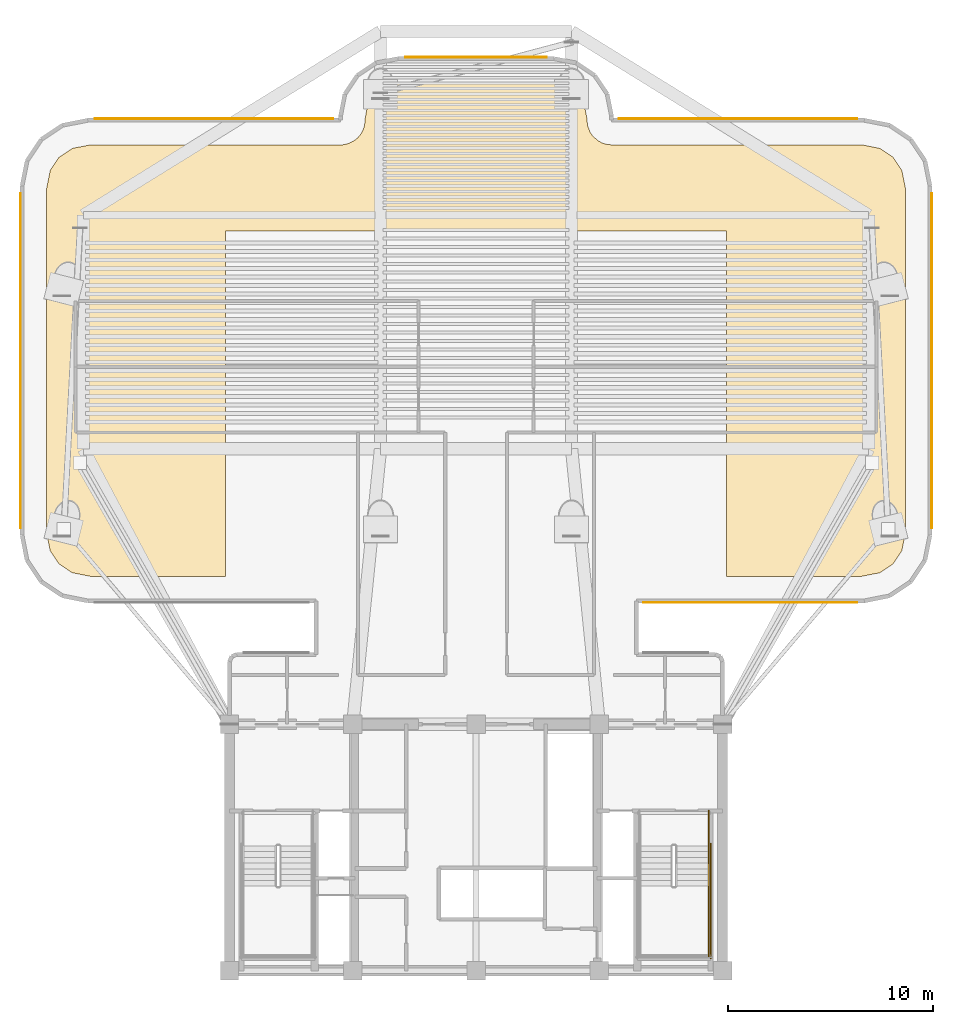
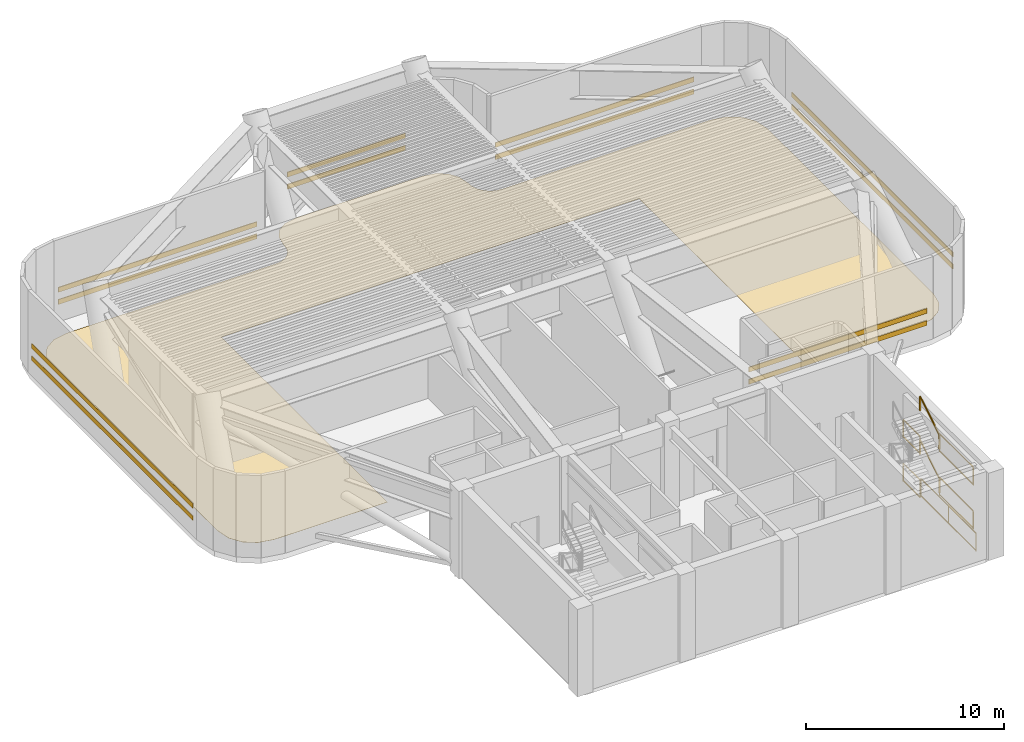
# One storey, part 10 of 10: 12 shading devices, 7 railings, 1 covering.
"""IFC4 building model written with IfcOpenShell, lengths in metres."""

from ifc_helpers import new_model, si_unit, direction, frame, origin, origin_2d, place, context, subcontext, project, spatial, polyline, rectangle, outline, extrude, source, transform, mapped, material, layer, layer_set, material_profile, profile_set, type_object, element, save


model = new_model("IFC4")

# Units and contexts
model_context = context("Model", 3, precision=1e-05, world=origin(), true_north=direction((0.0, 1.0)))
body_context = subcontext(model_context, "Body", "Model", "MODEL_VIEW")
ifc_project = project(units=[si_unit("LENGTHUNIT", "METRE"), si_unit("AREAUNIT", "SQUARE_METRE"), si_unit("VOLUMEUNIT", "CUBIC_METRE"), si_unit("PLANEANGLEUNIT", "RADIAN"), si_unit("MASSUNIT", "GRAM", prefix="KILO")], contexts=[model_context])

# Site, building, storey
site_placement = place(None, origin())
site = spatial("IfcSite", under=ifc_project, at=site_placement, CompositionType="ELEMENT")
building_placement = place(site_placement, origin())
building = spatial("IfcBuilding", under=site, at=building_placement, Name="Brelvock Crest Care Tower", CompositionType="ELEMENT")
storey_placement = place(building_placement, frame((0.0, 0.0, 146.52001953125)))
storey = spatial("IfcBuildingStorey", under=building, at=storey_placement, Name="L37", CompositionType="ELEMENT", Elevation=146.52001953125)

# Covering
ifc_material_1 = material(Name="Elastomeric Waterproofing Membrane", Category="membrane")
ifc_layer_1 = layer(ifc_material_1, 0.011962890625, Name="COV-RFM1")
ifc_layer_set_1 = layer_set([ifc_layer_1], Name="Elastomeric Waterproofing Membrane")
covering_type = type_object("IfcCoveringType", Name="COV-RFM1", PredefinedType="MEMBRANE", material=ifc_layer_set_1)
covering_placement = place(storey_placement, frame((0.0, 0.0, 0.015869140625)))
element("IfcCovering", 1, at=covering_placement, inside=storey, type_object=covering_type, Name="L37 Waterproofing Membrane 1", PredefinedType="MEMBRANE", context=body_context, shape_type="SweptSolid", body=[
    extrude(outline(polyline([(23.800048828125, 25.199951171875), (23.800048828125, 42.0), (48.199951171875, 42.0), (48.199951171875, 25.199951171875), (54.78173828125, 25.199951171875), (55.656494140625, 25.3740234375), (56.297607421875, 25.802490234375), (56.72607421875, 26.443603515625), (56.89990234375, 27.318115234375), (56.89990234375, 44.081787109375), (56.72607421875, 44.956298828125), (56.297607421875, 45.59765625), (55.656494140625, 46.02587890625), (54.78173828125, 46.199951171875), (42.60009765625, 46.199951171875), (42.365966796875, 46.22314453125), (42.140869140625, 46.291259765625), (41.933349609375, 46.402099609375), (41.67236328125, 46.638671875), (41.541748046875, 46.834228515625), (41.423095703125, 47.166015625), (41.39990234375, 47.481689453125), (41.256591796875, 48.203369140625), (40.914794921875, 48.71484375), (40.4033203125, 49.056396484375), (39.681884765625, 49.199951171875), (32.318115234375, 49.199951171875), (31.5966796875, 49.056396484375), (31.085205078125, 48.71484375), (30.743408203125, 48.203369140625), (30.60009765625, 47.481689453125), (30.576904296875, 47.166015625), (30.5087890625, 46.94091796875), (30.397705078125, 46.7333984375), (30.24853515625, 46.551513671875), (30.066650390625, 46.402099609375), (29.748291015625, 46.251708984375), (29.517578125, 46.205810546875), (17.21826171875, 46.199951171875), (16.343505859375, 46.02587890625), (15.702392578125, 45.59765625), (15.27392578125, 44.956298828125), (15.10009765625, 44.081787109375), (15.10009765625, 27.318115234375), (15.27392578125, 26.443603515625), (15.702392578125, 25.802490234375), (16.343505859375, 25.3740234375), (17.21826171875, 25.199951171875), (23.800048828125, 25.199951171875)])), origin(), (0.0, 0.0, 1.0), 0.01220703125),
])

# Railings
ifc_material_2 = material(Name="Steel Grade 350", Category="steel")
ifc_layer_2 = layer(ifc_material_2, 0.050048828125, Name="RL-STG1")
ifc_layer_set_2 = layer_set([ifc_layer_2], Name="Steel Grade 350")
railing_type_1 = type_object("IfcRailingType", Name="RL-STG1", PredefinedType="GUARDRAIL", material=ifc_layer_set_2)
railing_1_placement = place(storey_placement, frame((47.320068359375, 10.1201171875, 1.35009765625)))
element("IfcRailing", 2, at=railing_1_placement, inside=storey, type_object=railing_type_1, Name="L37 ST-2 stair guard 4", PredefinedType="GUARDRAIL", context=body_context, shape_type="SweptSolid", body=[
    extrude(rectangle(XDim=0.048095703125, YDim=0.048095703125, at=origin_2d()), frame((0.0, -0.001953125, 1.11572265625), z_axis=(0.0, -1.0, 0.0), x_axis=(1.0, 0.0, 0.0)), (0.0, 0.0, 1.0), 3.416259765625),
    extrude(rectangle(XDim=0.048095703125, YDim=0.048095703125, at=origin_2d()), frame((0.0, -0.001953125, 0.054931640625), z_axis=(0.0, -1.0, 0.0), x_axis=(1.0, 0.0, 0.0)), (0.0, 0.0, 1.0), 3.416259765625),
    extrude(rectangle(XDim=0.0419921875, YDim=0.0419921875, at=origin_2d()), origin(), (0.0, 0.0, 1.0), 1.08984375),
    extrude(rectangle(XDim=0.0419921875, YDim=0.0419921875, at=origin_2d()), frame((0.0, -3.420166015625, 0.0)), (0.0, 0.0, 1.0), 1.08984375),
])
railing_2_placement = place(storey_placement, frame((47.320068359375, 13.780029296875, 2.699951171875)))
element("IfcRailing", 3, at=railing_2_placement, inside=storey, type_object=railing_type_1, Name="L37 ST-2 stair guard 9", PredefinedType="GUARDRAIL", context=body_context, shape_type="SweptSolid", body=[
    extrude(rectangle(XDim=0.048095703125, YDim=0.048095703125, at=origin_2d()), frame((0.0, -0.001953125, 1.11572265625), z_axis=(0.0, -1.0, 0.0), x_axis=(1.0, 0.0, 0.0)), (0.0, 0.0, 1.0), 1.696044921875),
    extrude(rectangle(XDim=0.048095703125, YDim=0.048095703125, at=origin_2d()), frame((0.0, -0.001953125, 0.054931640625), z_axis=(0.0, -1.0, 0.0), x_axis=(1.0, 0.0, 0.0)), (0.0, 0.0, 1.0), 1.696044921875),
    extrude(rectangle(XDim=0.0419921875, YDim=0.0419921875, at=origin_2d()), origin(), (0.0, 0.0, 1.0), 1.08984375),
    extrude(rectangle(XDim=0.0419921875, YDim=0.0419921875, at=origin_2d()), frame((0.0, -1.699951171875, 0.0)), (0.0, 0.0, 1.0), 1.08984375),
])
railing_3_placement = place(storey_placement, frame((47.320068359375, 10.1201171875, 4.050048828125)))
element("IfcRailing", 4, at=railing_3_placement, inside=storey, type_object=railing_type_1, Name="L37 ST-2 stair guard 13", PredefinedType="GUARDRAIL", context=body_context, shape_type="SweptSolid", body=[
    extrude(rectangle(XDim=0.048095703125, YDim=0.048095703125, at=origin_2d()), frame((0.0, -0.001953125, 1.11572265625), z_axis=(0.0, -1.0, 0.0), x_axis=(1.0, 0.0, 0.0)), (0.0, 0.0, 1.0), 3.416259765625),
    extrude(rectangle(XDim=0.048095703125, YDim=0.048095703125, at=origin_2d()), frame((0.0, -0.001953125, 0.054931640625), z_axis=(0.0, -1.0, 0.0), x_axis=(1.0, 0.0, 0.0)), (0.0, 0.0, 1.0), 3.416259765625),
    extrude(rectangle(XDim=0.0419921875, YDim=0.0419921875, at=origin_2d()), origin(), (0.0, 0.0, 1.0), 1.08984375),
    extrude(rectangle(XDim=0.0419921875, YDim=0.0419921875, at=origin_2d()), frame((0.0, -3.420166015625, 0.0)), (0.0, 0.0, 1.0), 1.08984375),
])
railing_4_placement = place(storey_placement, frame((47.320068359375, 13.780029296875, 0.0)))
element("IfcRailing", 5, at=railing_4_placement, inside=storey, type_object=railing_type_1, Name="L37 ST-2 stair guard 18", PredefinedType="GUARDRAIL", context=body_context, shape_type="SweptSolid", body=[
    extrude(rectangle(XDim=0.048095703125, YDim=0.048095703125, at=origin_2d()), frame((0.0, -0.001953125, 1.11572265625), z_axis=(0.0, -1.0, 0.0), x_axis=(1.0, 0.0, 0.0)), (0.0, 0.0, 1.0), 1.696044921875),
    extrude(rectangle(XDim=0.048095703125, YDim=0.048095703125, at=origin_2d()), frame((0.0, -0.001953125, 0.054931640625), z_axis=(0.0, -1.0, 0.0), x_axis=(1.0, 0.0, 0.0)), (0.0, 0.0, 1.0), 1.696044921875),
    extrude(rectangle(XDim=0.0419921875, YDim=0.0419921875, at=origin_2d()), origin(), (0.0, 0.0, 1.0), 1.08984375),
    extrude(rectangle(XDim=0.0419921875, YDim=0.0419921875, at=origin_2d()), frame((0.0, -1.699951171875, 0.0)), (0.0, 0.0, 1.0), 1.08984375),
])
railing_5_placement = place(storey_placement, frame((47.419921875, 12.179931640625, 0.0)))
element("IfcRailing", 6, at=railing_5_placement, inside=storey, type_object=railing_type_1, Name="L37 ST-2 stair guard 20", PredefinedType="GUARDRAIL", context=body_context, shape_type="SweptSolid", body=[
    extrude(rectangle(XDim=0.048095703125, YDim=0.048095703125, at=origin_2d()), frame((0.0, -0.001953125, 1.11572265625), z_axis=(0.0, -1.0, 0.0), x_axis=(1.0, 0.0, 0.0)), (0.0, 0.0, 1.0), 5.575927734375),
    extrude(rectangle(XDim=0.048095703125, YDim=0.048095703125, at=origin_2d()), frame((0.0, -0.001953125, 0.054931640625), z_axis=(0.0, -1.0, 0.0), x_axis=(1.0, 0.0, 0.0)), (0.0, 0.0, 1.0), 5.575927734375),
    extrude(rectangle(XDim=0.0419921875, YDim=0.0419921875, at=origin_2d()), origin(), (0.0, 0.0, 1.0), 1.08984375),
    extrude(rectangle(XDim=0.0419921875, YDim=0.0419921875, at=origin_2d()), frame((0.0, -2.7900390625, 0.0)), (0.0, 0.0, 1.0), 1.08984375),
    extrude(rectangle(XDim=0.0419921875, YDim=0.0419921875, at=origin_2d()), frame((0.0, -5.579833984375, 0.0)), (0.0, 0.0, 1.0), 1.08984375),
])
ifc_layer_3 = layer(ifc_material_2, 0.048095703125, Name="RL-STH1")
ifc_layer_set_3 = layer_set([ifc_layer_3], Name="Steel Grade 350")
railing_type_2 = type_object("IfcRailingType", Name="RL-STH1", PredefinedType="HANDRAIL", material=ifc_layer_set_3)
for number, where, name in (
    (7, (47.320068359375, 10.1201171875, 1.518798828125), "L37 ST-2 stair handrail 2"),
    (8, (47.320068359375, 10.1201171875, 4.21875), "L37 ST-2 stair handrail 4"),
):
    element("IfcRailing", number, at=place(storey_placement, frame(where)), inside=storey, type_object=railing_type_2, Name=name, PredefinedType="HANDRAIL", context=body_context, shape_type="SweptSolid", body=[
        extrude(rectangle(XDim=0.048095703125, YDim=0.048095703125, at=origin_2d()), frame((0.0, 0.001708984375, 0.876953125), z_axis=(0.0, 0.856493463811, 0.516157869696), x_axis=(-1.0, 0.0, 0.0)), (0.0, 0.0, 1.0), 2.284423828125),
        extrude(rectangle(XDim=0.0419921875, YDim=0.0419921875, at=origin_2d()), origin(), (0.0, 0.0, 1.0), 0.849853515625),
        extrude(rectangle(XDim=0.0419921875, YDim=0.0419921875, at=origin_2d()), frame((0.0, 1.9599609375, 1.18115234375)), (0.0, 0.0, 1.0), 0.849853515625),
    ])

# Shading devices
ifc_material_3 = material(Name="Aluminium 6063-T6", Category="aluminium")
ifc_material_profile_1 = material_profile(ifc_material_3, rectangle(XDim=0.044921875, YDim=0.300048828125, at=origin_2d()), Name="LOUVRE45x300")
ifc_profile_set_1 = profile_set([ifc_material_profile_1], Name="Aluminium 6063-T6")
shading_device_type_1 = type_object("IfcShadingDeviceType", Name="SHD-LV1", PredefinedType="JALOUSIE", material=ifc_profile_set_1)
shared_shape_1 = source(origin(), body_context, "Body", "SweptSolid", [
    extrude(rectangle(XDim=0.044921875, YDim=0.300048828125, at=origin_2d()), origin(), (0.0, 0.0, 1.0), 6.89990234375),
])
for number, where, z_axis, x_axis, name in (
    (9, (32.550048828125, 50.47509765625, 1.10009765625), (1.0, 0.0, 0.0), (0.0, 1.0, 0.0), "L37 Crown Acoustic Louvre 28-1"),
    (10, (32.550048828125, 50.47509765625, 1.85009765625), (1.0, 0.0, 0.0), (0.0, 1.0, 0.0), "L37 Crown Acoustic Louvre 28-2"),
):
    element("IfcShadingDevice", number, at=place(storey_placement, frame(where, z_axis=z_axis, x_axis=x_axis)), inside=storey, type_object=shading_device_type_1, Name=name, PredefinedType="JALOUSIE", context=body_context, shape_type="MappedRepresentation", body=[
        mapped(shared_shape_1, transform((0.0, 0.0, 0.0), x_axis=(1.0, 0.0, 0.0), y_axis=(0.0, 1.0, 0.0), z_axis=(0.0, 0.0, 1.0), scale=1.0)),
    ])
shared_shape_2 = source(origin(), body_context, "Body", "SweptSolid", [
    extrude(rectangle(XDim=0.044921875, YDim=0.300048828125, at=origin_2d()), origin(), (0.0, 0.0, 1.0), 10.400146484375),
])
for number, where, z_axis, x_axis, name in (
    (11, (54.550048828125, 23.925048828125, 1.10009765625), (-1.0, 0.0, 0.0), (0.0, -1.0, 0.0), "L37 Crown Acoustic Louvre 44-1"),
    (12, (54.550048828125, 23.925048828125, 1.85009765625), (-1.0, 0.0, 0.0), (0.0, -1.0, 0.0), "L37 Crown Acoustic Louvre 44-2"),
):
    element("IfcShadingDevice", number, at=place(storey_placement, frame(where, z_axis=z_axis, x_axis=x_axis)), inside=storey, type_object=shading_device_type_1, Name=name, PredefinedType="JALOUSIE", context=body_context, shape_type="MappedRepresentation", body=[
        mapped(shared_shape_2, transform((0.0, 0.0, 0.0), x_axis=(1.0, 0.0, 0.0), y_axis=(0.0, 1.0, 0.0), z_axis=(0.0, 0.0, 1.0), scale=1.0)),
    ])
ifc_material_profile_2 = material_profile(ifc_material_3, rectangle(XDim=0.044921875, YDim=0.300048828125, at=origin_2d()), Name="LOUVRE45x300")
ifc_profile_set_2 = profile_set([ifc_material_profile_2], Name="Aluminium 6063-T6")
shading_device_type_2 = type_object("IfcShadingDeviceType", Name="SHD-SH1", PredefinedType="SHUTTER", material=ifc_profile_set_2)
shared_shape_3 = source(origin(), body_context, "Body", "SweptSolid", [
    extrude(rectangle(XDim=0.044921875, YDim=0.300048828125, at=origin_2d()), origin(), (0.0, 0.0, 1.0), 16.300048828125),
])
for number, where, z_axis, x_axis, name in (
    (13, (13.824951171875, 27.550048828125, 1.10009765625), (0.0, 1.0, 0.0), (-1.0, 0.0, 0.0), "L37 Crown Acoustic Louvre 17-1"),
    (14, (13.824951171875, 27.550048828125, 1.85009765625), (0.0, 1.0, 0.0), (-1.0, 0.0, 0.0), "L37 Crown Acoustic Louvre 17-2"),
    (15, (58.175048828125, 43.85009765625, 1.10009765625), (0.0, -1.0, 0.0), (1.0, 0.0, 0.0), "L37 Crown Acoustic Louvre 39-1"),
    (16, (58.175048828125, 43.85009765625, 1.85009765625), (0.0, -1.0, 0.0), (1.0, 0.0, 0.0), "L37 Crown Acoustic Louvre 39-2"),
):
    element("IfcShadingDevice", number, at=place(storey_placement, frame(where, z_axis=z_axis, x_axis=x_axis)), inside=storey, type_object=shading_device_type_2, Name=name, PredefinedType="SHUTTER", context=body_context, shape_type="MappedRepresentation", body=[
        mapped(shared_shape_3, transform((0.0, 0.0, 0.0), x_axis=(1.0, 0.0, 0.0), y_axis=(0.0, 1.0, 0.0), z_axis=(0.0, 0.0, 1.0), scale=1.0)),
    ])
shared_shape_4 = source(origin(), body_context, "Body", "SweptSolid", [
    extrude(rectangle(XDim=0.044921875, YDim=0.300048828125, at=origin_2d()), origin(), (0.0, 0.0, 1.0), 11.60009765625),
])
for number, where, z_axis, x_axis, name in (
    (17, (17.449951171875, 47.47509765625, 1.10009765625), (1.0, 0.0, 0.0), (0.0, 1.0, 0.0), "L37 Crown Acoustic Louvre 22-1"),
    (18, (17.449951171875, 47.47509765625, 1.85009765625), (1.0, 0.0, 0.0), (0.0, 1.0, 0.0), "L37 Crown Acoustic Louvre 22-2"),
    (19, (42.949951171875, 47.47509765625, 1.10009765625), (1.0, 0.0, 0.0), (0.0, 1.0, 0.0), "L37 Crown Acoustic Louvre 34-1"),
    (20, (42.949951171875, 47.47509765625, 1.85009765625), (1.0, 0.0, 0.0), (0.0, 1.0, 0.0), "L37 Crown Acoustic Louvre 34-2"),
):
    element("IfcShadingDevice", number, at=place(storey_placement, frame(where, z_axis=z_axis, x_axis=x_axis)), inside=storey, type_object=shading_device_type_1, Name=name, PredefinedType="JALOUSIE", context=body_context, shape_type="MappedRepresentation", body=[
        mapped(shared_shape_4, transform((0.0, 0.0, 0.0), x_axis=(1.0, 0.0, 0.0), y_axis=(0.0, 1.0, 0.0), z_axis=(0.0, 0.0, 1.0), scale=1.0)),
    ])

save(model, "model.ifc")
